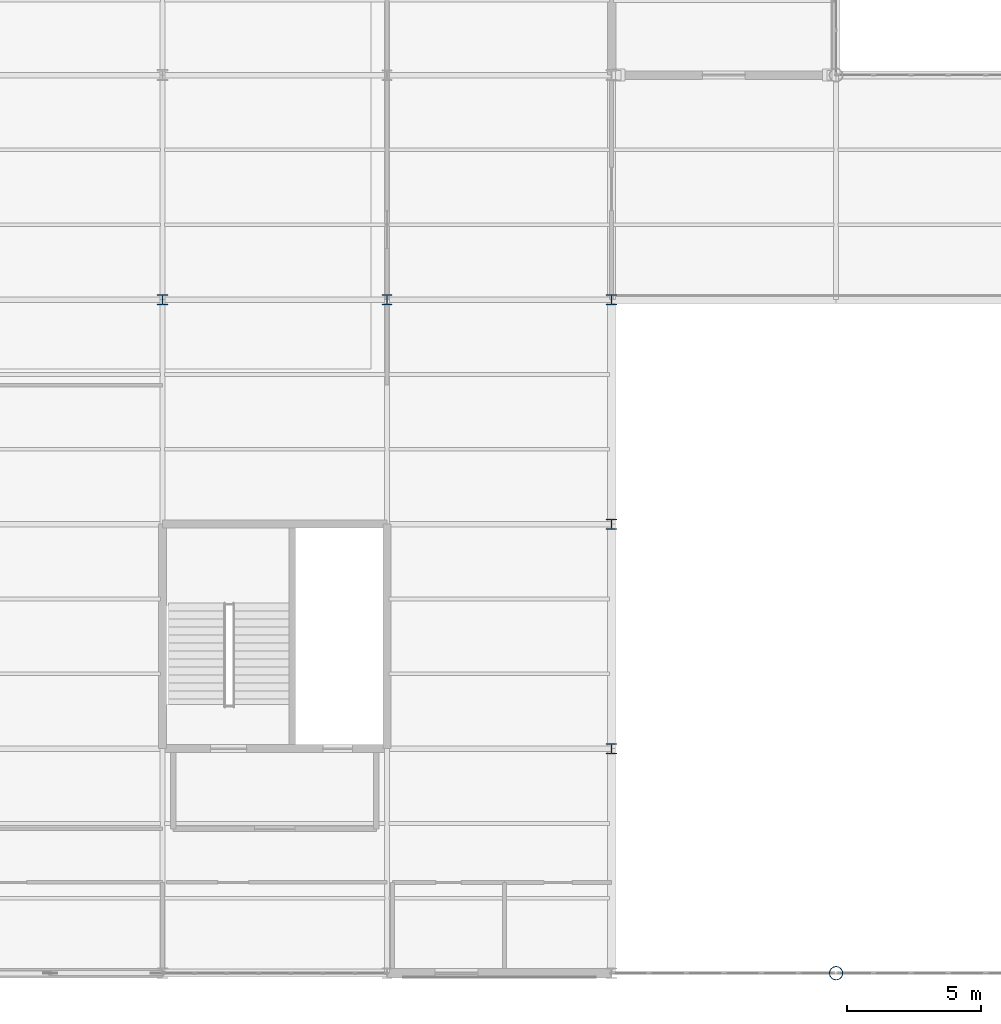
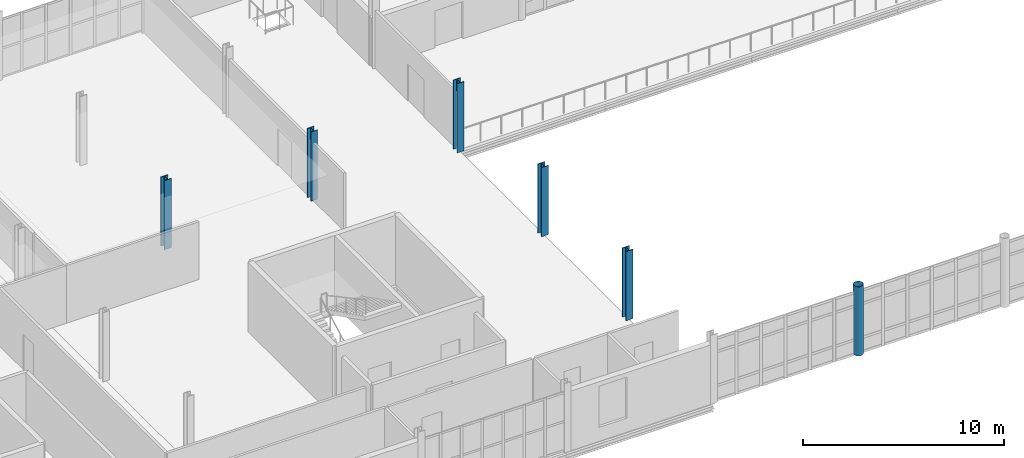
# One storey, part 2 of 163: 6 columns.
"""IFC4 building model written with IfcOpenShell, lengths in metres."""

import ifcopenshell
import ifcopenshell.guid

model = None  # the IFC model being written
_history = None  # IfcOwnerHistory: only IFC2X3 demands one
_inside = {}  # id of a spatial element -> (the spatial element, [elements in it])
_under = {}  # id of a project, library or spatial element -> (it, [spatial elements below it])
_declared = {}  # id of a project -> (the project, [libraries it declares])
_typed = {}  # id of a type object -> (the type object, [elements of that type])
_made_of = {}  # id of a material, layer set ... -> (it, [elements and type objects made of it])


def new_model(schema):
    """Start an empty IFC model of exactly this schema.

    Asked for "IFC4X3", IfcOpenShell would pick the latest addendum, in which some entities
    have other attributes; the version numbers below select the first issue.
    IFC2X3 requires an IfcOwnerHistory on every rooted entity: one is made here for all.
    """
    global model, _history
    if schema == "IFC4X3":
        model = ifcopenshell.file(schema_version=(4, 3, 0, 0))
    else:
        model = ifcopenshell.file(schema=schema)
    _inside.clear()
    _under.clear()
    _declared.clear()
    _typed.clear()
    _made_of.clear()
    _history = None
    if model.schema == "IFC2X3":
        org = make("IfcOrganization", Name="unknown")
        user = make(
            "IfcPersonAndOrganization",
            ThePerson=make("IfcPerson", FamilyName="unknown"),
            TheOrganization=org,
        )
        app = make(
            "IfcApplication",
            ApplicationDeveloper=org,
            Version="unknown",
            ApplicationFullName="unknown",
            ApplicationIdentifier="unknown",
        )
        _history = make(
            "IfcOwnerHistory",
            OwningUser=user,
            OwningApplication=app,
            ChangeAction="ADDED",
            CreationDate=0,
        )
    return model


def make(cls, **values):
    """One entity of the class cls with the attributes given. An attribute that is None is left unset."""
    return model.create_entity(
        cls, **{name: value for name, value in values.items() if value is not None}
    )


def rooted(cls, **values):
    """An entity with a GlobalId (a new one), such as an element, a storey or a relation."""
    return make(cls, GlobalId=ifcopenshell.guid.new(), OwnerHistory=_history, **values)


def si_unit(unit_type, name, prefix=None):
    """IfcSIUnit, for example si_unit("LENGTHUNIT", "METRE", prefix="MILLI")."""
    return make("IfcSIUnit", UnitType=unit_type, Prefix=prefix, Name=name)


def assignment(units):
    """IfcUnitAssignment: the units of a project."""
    return None if units is None else make("IfcUnitAssignment", Units=units)


def point(xyz):
    """IfcCartesianPoint."""
    return None if xyz is None else make("IfcCartesianPoint", Coordinates=xyz)


def direction(xyz):
    """IfcDirection."""
    return None if xyz is None else make("IfcDirection", DirectionRatios=xyz)


def frame(location, z_axis=None, x_axis=None):
    """IfcAxis2Placement3D, a coordinate frame: its origin and axes. An axis left out is left unset."""
    return make(
        "IfcAxis2Placement3D",
        Location=point(location),
        Axis=direction(z_axis),
        RefDirection=direction(x_axis),
    )


def frame_2d(location, x_axis=None):
    """IfcAxis2Placement2D, a coordinate frame in the plane: its origin and x axis."""
    return make(
        "IfcAxis2Placement2D", Location=point(location), RefDirection=direction(x_axis)
    )


def origin():
    """The frame at (0, 0, 0) with its axes left unset."""
    return frame((0.0, 0.0, 0.0))


def origin_2d():
    """The frame at (0, 0) in the plane with its x axis left unset."""
    return frame_2d((0.0, 0.0))


def place(relative_to, where):
    """IfcLocalPlacement: puts the frame where relative to a parent placement (None: the world)."""
    return make(
        "IfcLocalPlacement", PlacementRelTo=relative_to, RelativePlacement=where
    )


def context(
    kind, dimensions, precision=None, world=None, true_north=None, identifier=None
):
    """IfcGeometricRepresentationContext, for example the 3D "Model" context."""
    return make(
        "IfcGeometricRepresentationContext",
        ContextIdentifier=identifier,
        ContextType=kind,
        CoordinateSpaceDimension=dimensions,
        Precision=precision,
        WorldCoordinateSystem=world,
        TrueNorth=true_north,
    )


def subcontext(parent, identifier, kind, view, scale=None):
    """IfcGeometricRepresentationSubContext, for example "Body" below "Model"."""
    return make(
        "IfcGeometricRepresentationSubContext",
        ContextIdentifier=identifier,
        ContextType=kind,
        ParentContext=parent,
        TargetScale=scale,
        TargetView=view,
    )


def project(units=None, contexts=None):
    """IfcProject with its units and contexts."""
    return rooted(
        "IfcProject",
        Name="project",
        RepresentationContexts=contexts,
        UnitsInContext=assignment(units),
    )


def spatial(cls, under=None, at=None, **own):
    """A site, building, storey or space (cls), placed at a placement, below another one or the project."""
    s = rooted(cls, ObjectPlacement=at, **own)
    if under is not None:
        _under.setdefault(under.id(), (under, []))[1].append(s)
    return s


def profile(cls, at=None, kind="AREA", **sizes):
    """A parametric profile (cls). Its sizes go by their IFC names, for example OverallWidth=200.0."""
    return make(cls, ProfileType=kind, Position=at, **sizes)


def hollow_circle(**sizes):
    """IfcCircleHollowProfileDef."""
    return profile("IfcCircleHollowProfileDef", **sizes)


def i_section(**sizes):
    """IfcIShapeProfileDef."""
    return profile("IfcIShapeProfileDef", **sizes)


def extrude(swept, where, along, depth):
    """IfcExtrudedAreaSolid: the profile swept, set in the frame where, extruded along a direction by depth."""
    return make(
        "IfcExtrudedAreaSolid",
        SweptArea=swept,
        Position=where,
        ExtrudedDirection=direction(along),
        Depth=depth,
    )


def shape(context_of_items, identifier, shape_type, items):
    """IfcShapeRepresentation: the items that make up one representation, for example the "Body"."""
    return make(
        "IfcShapeRepresentation",
        ContextOfItems=context_of_items,
        RepresentationIdentifier=identifier,
        RepresentationType=shape_type,
        Items=items,
    )


def material(Name=None, Category=None):
    """IfcMaterial."""
    return make("IfcMaterial", Name=Name, Category=Category)


def material_profile(
    of_material, cross_section, Name=None, Category=None, Priority=None
):
    """IfcMaterialProfile: a cross section and its material."""
    return make(
        "IfcMaterialProfile",
        Name=Name,
        Material=of_material,
        Profile=cross_section,
        Priority=Priority,
        Category=Category,
    )


def profile_set(profiles, Name=None, composite=None):
    """IfcMaterialProfileSet."""
    return make(
        "IfcMaterialProfileSet",
        Name=Name,
        MaterialProfiles=profiles,
        CompositeProfile=composite,
    )


def made_of(thing, what):
    """Note that an element or type object is made of a material, layer set ...; save() writes the relation."""
    if what is not None:
        _made_of.setdefault(what.id(), (what, []))[1].append(thing)
    return thing


def type_object(cls, material=None, **own):
    """A type object (cls), such as IfcWallType, which elements share."""
    return made_of(rooted(cls, **own), material)


def element(
    cls,
    number,
    at=None,
    inside=None,
    cuts=None,
    type_object=None,
    material=None,
    context=None,
    identifier="Body",
    shape_type=None,
    held_by="IfcProductDefinitionShape",
    body=None,
    shapes=None,
    **own,
):
    """One element of the class cls, such as IfcWall. Its Tag is "e" and its number.

    at: its placement. inside: the storey or other place that contains it. cuts: it is an
    opening in that element (IfcRelVoidsElement). A single representation is given by context,
    identifier, shape_type and body (its items); several are given by shapes. held_by: the class
    of the entity that holds the representations. save() writes the other relations.
    """
    e = rooted(cls, Tag="e%d" % number, ObjectPlacement=at, **own)
    if body is not None:
        shapes = [shape(context, identifier, shape_type, body)]
    if shapes is not None:
        e.Representation = make(held_by, Representations=shapes)
    if inside is not None:
        _inside.setdefault(inside.id(), (inside, []))[1].append(e)
    if cuts is not None:
        rooted(
            "IfcRelVoidsElement", RelatingBuildingElement=cuts, RelatedOpeningElement=e
        )
    if type_object is not None:
        _typed.setdefault(type_object.id(), (type_object, []))[1].append(e)
    return made_of(e, material)


def aggregate(whole, parts):
    """IfcRelAggregates: a whole, such as a stair, and the parts it consists of."""
    return rooted("IfcRelAggregates", RelatingObject=whole, RelatedObjects=parts)


def save(model, path):
    """Write the relations noted so far, then the file.

    IfcRelAggregates (storeys below a building ...), IfcRelContainedInSpatialStructure (elements
    in a storey), IfcRelDefinesByType, IfcRelAssociatesMaterial and IfcRelDeclares: one each for
    every whole, place, type object, material and project.
    """
    for whole, parts in _under.values():
        aggregate(whole, parts)
    for where, things in _inside.values():
        rooted(
            "IfcRelContainedInSpatialStructure",
            RelatedElements=things,
            RelatingStructure=where,
        )
    for kind, things in _typed.values():
        rooted("IfcRelDefinesByType", RelatedObjects=things, RelatingType=kind)
    for what, things in _made_of.values():
        rooted("IfcRelAssociatesMaterial", RelatedObjects=things, RelatingMaterial=what)
    for by, libraries in _declared.values():
        rooted("IfcRelDeclares", RelatingContext=by, RelatedDefinitions=libraries)
    model.write(path)


model = new_model("IFC4")

# Units and contexts
model_context = context("Model", 3, precision=1e-05, world=origin(), true_north=direction((0.0, 1.0)))
body_context = subcontext(model_context, "Body", "Model", "MODEL_VIEW")
ifc_project = project(units=[si_unit("LENGTHUNIT", "METRE"), si_unit("AREAUNIT", "SQUARE_METRE"), si_unit("VOLUMEUNIT", "CUBIC_METRE"), si_unit("PLANEANGLEUNIT", "RADIAN"), si_unit("MASSUNIT", "GRAM", prefix="KILO")], contexts=[model_context])

# Site, building, storey
site_placement = place(None, origin())
site = spatial("IfcSite", under=ifc_project, at=site_placement, CompositionType="ELEMENT")
building_placement = place(site_placement, origin())
building = spatial("IfcBuilding", under=site, at=building_placement, Name="Qalvenar Corner Mobility Hub", CompositionType="ELEMENT")
storey_placement = place(building_placement, frame((0.0, 0.0, 4.800048828125)))
storey = spatial("IfcBuildingStorey", under=building, at=storey_placement, Name="L01", CompositionType="ELEMENT", Elevation=4.800048828125)

# Columns
ifc_material = material(Name="Steel S355", Category="steel")
ifc_material_profile_1 = material_profile(ifc_material, hollow_circle(Radius=0.25390625, WallThickness=0.01611328125, at=origin_2d()), Name="CHS508x16")
ifc_profile_set_1 = profile_set([ifc_material_profile_1], Name="Steel S355")
column_type_1 = type_object("IfcColumnType", Name="COL-CHS508", PredefinedType="COLUMN", material=ifc_profile_set_1)
column_1_placement = place(storey_placement, frame((58.800048828125, 0.0, 0.0), z_axis=(0.0, 0.0, 1.0), x_axis=(1.0, 0.0, 0.0)))
element("IfcColumn", 1, at=column_1_placement, inside=storey, type_object=column_type_1, Name="Steel Column L01-G8-0", PredefinedType="COLUMN", context=body_context, shape_type="SweptSolid", body=[
    extrude(hollow_circle(Radius=0.25390625, WallThickness=0.01611328125, at=origin_2d()), origin(), (0.0, 0.0, 1.0), 4.199951171875),
])
ifc_material_profile_2 = material_profile(ifc_material, i_section(OverallWidth=0.376953125, OverallDepth=0.386962890625, WebThickness=0.0224609375, FlangeThickness=0.035888671875, FilletRadius=0.014892578125, at=origin_2d()), Name="HD360x262")
ifc_profile_set_2 = profile_set([ifc_material_profile_2], Name="Steel S355")
column_type_2 = type_object("IfcColumnType", Name="COL-HD360X262", PredefinedType="COLUMN", material=ifc_profile_set_2)
column_2_placement = place(storey_placement, frame((42.0, 25.199951171875, 0.0), z_axis=(0.0, 0.0, 1.0), x_axis=(1.0, 0.0, 0.0)))
element("IfcColumn", 2, at=column_2_placement, inside=storey, type_object=column_type_2, Name="Steel Column L01-G6-3", PredefinedType="COLUMN", context=body_context, shape_type="SweptSolid", body=[
    extrude(i_section(OverallWidth=0.376953125, OverallDepth=0.386962890625, WebThickness=0.0224609375, FlangeThickness=0.035888671875, FilletRadius=0.014892578125, at=origin_2d()), origin(), (0.0, 0.0, 1.0), 4.199951171875),
])
ifc_material_profile_3 = material_profile(ifc_material, i_section(OverallWidth=0.40087890625, OverallDepth=0.39892578125, WebThickness=0.02490234375, FlangeThickness=0.03955078125, FilletRadius=0.014892578125, at=origin_2d()), Name="HD400x314")
ifc_profile_set_3 = profile_set([ifc_material_profile_3], Name="Steel S355")
column_type_3 = type_object("IfcColumnType", Name="COL-HD400X314", PredefinedType="COLUMN", material=ifc_profile_set_3)
for number, where, z_axis, x_axis, name in (
    (3, (33.60009765625, 25.199951171875, 0.0), (0.0, 0.0, 1.0), (1.0, 0.0, 0.0), "Steel Column L01-G5-3"),
    (4, (50.39990234375, 8.39990234375, 0.0), (0.0, 0.0, 1.0), (1.0, 0.0, 0.0), "Steel Column L01-G7-1"),
    (5, (50.39990234375, 16.800048828125, 0.0), (0.0, 0.0, 1.0), (1.0, 0.0, 0.0), "Steel Column L01-G7-2"),
    (6, (50.39990234375, 25.199951171875, 0.0), (0.0, 0.0, 1.0), (1.0, 0.0, 0.0), "Steel Column L01-G7-3"),
):
    element("IfcColumn", number, at=place(storey_placement, frame(where, z_axis=z_axis, x_axis=x_axis)), inside=storey, type_object=column_type_3, Name=name, PredefinedType="COLUMN", context=body_context, shape_type="SweptSolid", body=[
        extrude(i_section(OverallWidth=0.40087890625, OverallDepth=0.39892578125, WebThickness=0.02490234375, FlangeThickness=0.03955078125, FilletRadius=0.014892578125, at=origin_2d()), origin(), (0.0, 0.0, 1.0), 4.199951171875),
    ])

save(model, "model.ifc")
